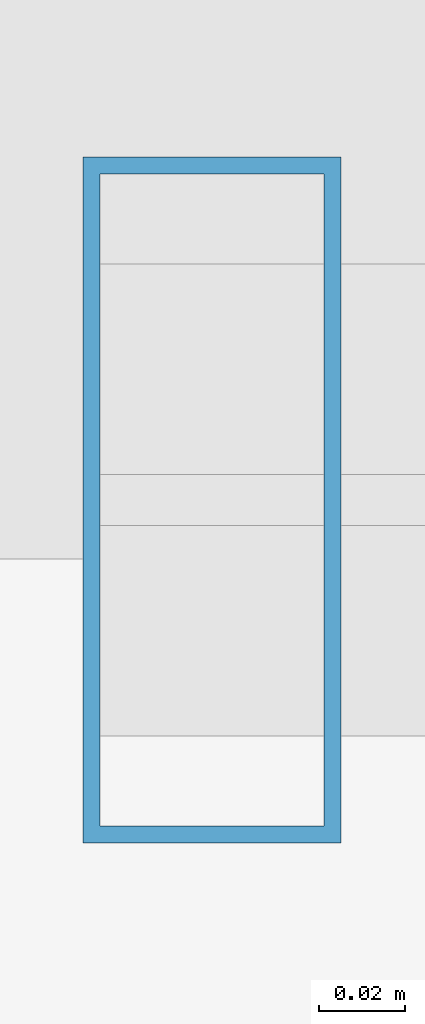
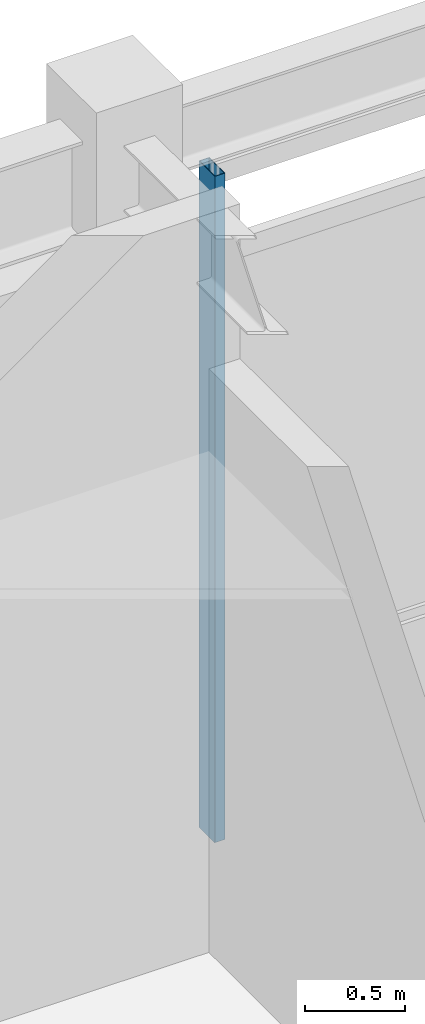
# One storey, part 146 of 200: 1 member, 1 element without a shape of its own.
"""IFC4 building model written with IfcOpenShell, lengths in metres."""

from ifc_helpers import new_model, si_unit, direction, frame, origin, origin_2d, place, context, subcontext, project, spatial, hollow_rectangle, extrude, material, material_profile, profile_set, type_object, element, aggregate, save


model = new_model("IFC4")

# Units and contexts
model_context = context("Model", 3, precision=1e-05, world=origin(), true_north=direction((0.0, 1.0)))
body_context = subcontext(model_context, "Body", "Model", "MODEL_VIEW")
ifc_project = project(units=[si_unit("LENGTHUNIT", "METRE"), si_unit("AREAUNIT", "SQUARE_METRE"), si_unit("VOLUMEUNIT", "CUBIC_METRE"), si_unit("PLANEANGLEUNIT", "RADIAN"), si_unit("MASSUNIT", "GRAM", prefix="KILO"), si_unit("THERMODYNAMICTEMPERATUREUNIT", "KELVIN"), si_unit("POWERUNIT", "WATT")], contexts=[model_context])

# Site, building, storey
site_placement = place(None, origin())
site = spatial("IfcSite", under=ifc_project, at=site_placement, CompositionType="ELEMENT")
building_placement = place(site_placement, origin())
building = spatial("IfcBuilding", under=site, at=building_placement, Name="Tepalcoro Natatorium and Aquatics Centre", CompositionType="ELEMENT")
storey_placement = place(building_placement, frame((0.0, 0.0, 5.39990234375)))
storey = spatial("IfcBuildingStorey", under=building, at=storey_placement, Name="L01", CompositionType="ELEMENT", Elevation=5.39990234375)

# Curtain wall, member
ifc_material = material(Name="Bronze-Anodised Extruded Aluminium Alloy EN AW-6063 T6", Category="aluminium")
curtain_wall_type = type_object("IfcCurtainWallType", Name="CW_V4_VILLAGE", PredefinedType="USERDEFINED", material=ifc_material)
curtain_wall_placement = place(storey_placement, origin())
curtain_wall = element("IfcCurtainWall", 1, at=curtain_wall_placement, inside=storey, type_object=curtain_wall_type, Name="V5 L01 N Unitised Curtain Wall Bay 8", ObjectType="UNITISED STOREFRONT", PredefinedType="USERDEFINED")
ifc_material_profile = material_profile(ifc_material, hollow_rectangle(XDim=0.06005859375, YDim=0.159912109375, WallThickness=0.00390625, at=origin_2d()), Name="AL60X160X4")
ifc_profile_set = profile_set([ifc_material_profile], Name="Bronze-Anodised Extruded Aluminium Alloy EN AW-6063 T6")
member_type = type_object("IfcMemberType", Name="CW_MUL_60x160", PredefinedType="MULLION", material=ifc_profile_set)
member_placement = place(storey_placement, frame((159.52001953125, 117.923828125, 0.02001953125), z_axis=(0.0, 0.0, 1.0), x_axis=(1.0, 0.0, 0.0)))
member = element("IfcMember", 2, at=member_placement, type_object=member_type, Name="CW_V4_VILLAGE Curtain Wall Mullion", PredefinedType="MULLION", context=body_context, shape_type="SweptSolid", body=[
    extrude(hollow_rectangle(XDim=0.06005859375, YDim=0.159912109375, WallThickness=0.00390625, at=origin_2d()), origin(), (0.0, 0.0, 1.0), 4.0771484375),
])
aggregate(curtain_wall, [member])

save(model, "model.ifc")
